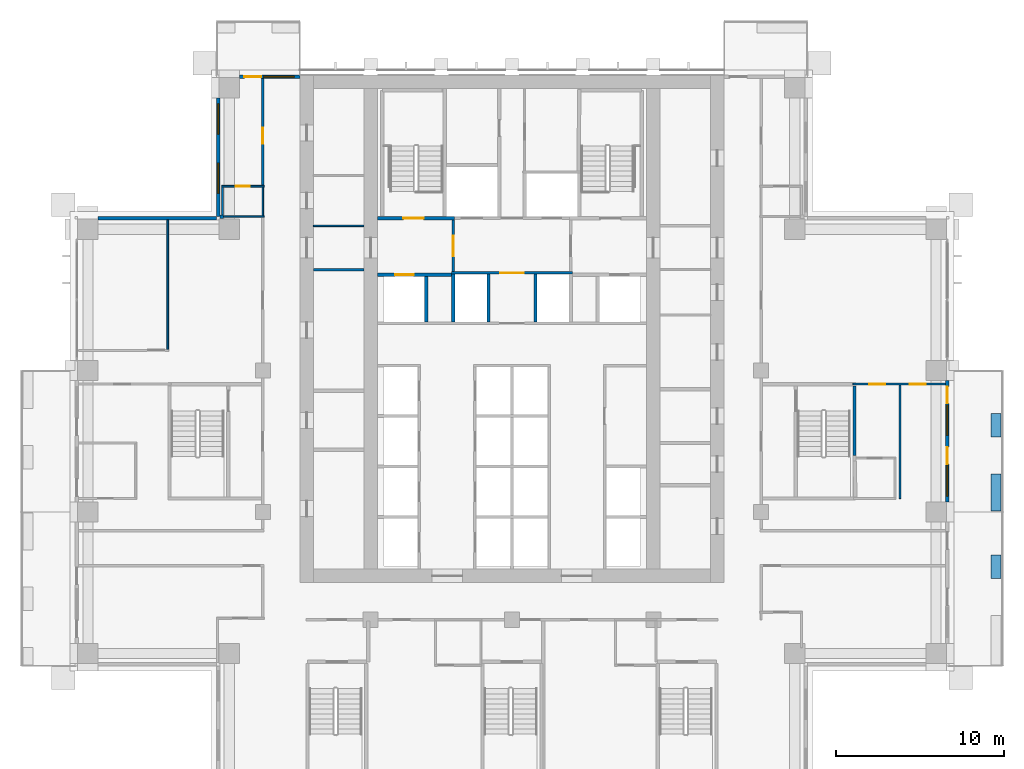
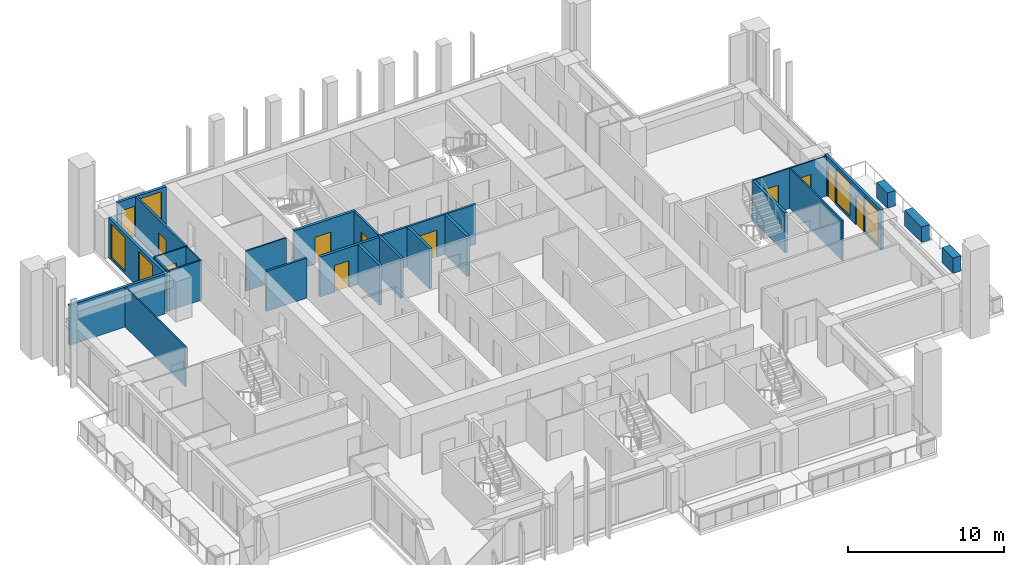
# One storey, part 12 of 19: 27 walls, 11 doors, 5 windows, 16 openings.
"""IFC4 building model written with IfcOpenShell, lengths in metres."""

from ifc_helpers import new_model, si_unit, direction, frame, frame_2d, origin, place, context, subcontext, project, spatial, rectangle, extrude, material, layer, layer_set, type_object, element, fill, save


model = new_model("IFC4")

# Units and contexts
model_context = context("Model", 3, precision=1e-05, world=origin(), true_north=direction((0.0, 1.0)))
body_context = subcontext(model_context, "Body", "Model", "MODEL_VIEW")
ifc_project = project(units=[si_unit("LENGTHUNIT", "METRE"), si_unit("AREAUNIT", "SQUARE_METRE"), si_unit("VOLUMEUNIT", "CUBIC_METRE"), si_unit("PLANEANGLEUNIT", "RADIAN"), si_unit("MASSUNIT", "GRAM", prefix="KILO")], contexts=[model_context])

# Site, building, storey
site_placement = place(None, origin())
site = spatial("IfcSite", under=ifc_project, at=site_placement, CompositionType="ELEMENT")
building_placement = place(site_placement, origin())
building = spatial("IfcBuilding", under=site, at=building_placement, Name="Vermilion Ogive Tower", CompositionType="ELEMENT")
storey_placement = place(building_placement, frame((0.0, 0.0, 104.550048828125)))
storey = spatial("IfcBuildingStorey", under=building, at=storey_placement, Name="L26", CompositionType="ELEMENT", Elevation=104.550048828125)

# Wall
ifc_material_1 = material(Name="Gypsum board partition on steel studs", Category="steel")
ifc_layer_1 = layer(ifc_material_1, 0.10009765625)
ifc_layer_set_1 = layer_set([ifc_layer_1], Name="Partition 100 bath")
wall_type_1 = type_object("IfcWallType", Name="Partition 100 bath", PredefinedType="PARTITIONING", material=ifc_layer_set_1)
wall_1_placement = place(storey_placement, frame((-17.25, 13.35009765625, 0.0), z_axis=(0.0, 0.0, 1.0), x_axis=(1.0, 0.0, 0.0)))
element("IfcWall", 1, at=wall_1_placement, inside=storey, type_object=wall_type_1, Name="L26-W-W030", PredefinedType="PARTITIONING", context=body_context, shape_type="SweptSolid", body=[
    extrude(rectangle(XDim=2.52490234375, YDim=0.10009765625, at=frame_2d((1.262451171875, 0.0))), origin(), (0.0, 0.0, 1.0), 3.1298828125),
])

# Wall, opening, door
wall_2_placement = place(storey_placement, frame((-17.25, 15.14990234375, 0.0), z_axis=(0.0, 0.0, 1.0), x_axis=(1.0, 0.0, 0.0)))
wall_2 = element("IfcWall", 2, at=wall_2_placement, inside=storey, type_object=wall_type_1, Name="L26-W-W033", PredefinedType="PARTITIONING", context=body_context, shape_type="SweptSolid", body=[
    extrude(rectangle(XDim=2.52490234375, YDim=0.10009765625, at=frame_2d((1.262451171875, 0.0))), origin(), (0.0, 0.0, 1.0), 3.1298828125),
])
opening_1_placement = place(wall_2_placement, frame((0.824951171875, 0.0, 0.0)))
opening_1 = element("IfcOpeningElement", 3, at=opening_1_placement, cuts=wall_2, Name="Opening D2G4008", PredefinedType="OPENING", context=body_context, shape_type="SweptSolid", body=[
    extrude(rectangle(XDim=0.85009765625, YDim=2.10009765625, at=frame_2d((0.425048828125, 1.050048828125))), frame((0.0, 0.06005859375, 0.0), z_axis=(0.0, -1.0, 0.0), x_axis=(1.0, 0.0, 0.0)), (0.0, 0.0, 1.0), 0.1201171875),
])
ifc_material_2 = material(Name="Timber door leaf", Category="wood")
door_type_1 = type_object("IfcDoorType", Name="Bath door 850 x 2100 FD30", OperationType="SINGLE_SWING_LEFT", PredefinedType="DOOR", material=ifc_material_2)
door_1_placement = place(opening_1_placement, origin())
door_1 = element("IfcDoor", 4, at=door_1_placement, inside=storey, type_object=door_type_1, Name="L26-D-D008", OperationType="SINGLE_SWING_RIGHT", OverallHeight=2.10009765625, OverallWidth=0.85009765625, PredefinedType="DOOR", context=body_context, shape_type="SweptSolid", body=[
    extrude(rectangle(XDim=0.85009765625, YDim=2.10009765625, at=frame_2d((0.425048828125, 1.050048828125))), frame((0.0, 0.02490234375, 0.0), z_axis=(0.0, -1.0, 0.0), x_axis=(1.0, 0.0, 0.0)), (0.0, 0.0, 1.0), 0.050048828125),
])
fill(opening_1, door_1)

# Walls
wall_3_placement = place(storey_placement, frame((-17.199951171875, 13.449951171875, 0.0), z_axis=(0.0, 0.0, 1.0), x_axis=(0.0, 1.0, 0.0)))
element("IfcWall", 5, at=wall_3_placement, inside=storey, type_object=wall_type_1, Name="L26-W-W039", PredefinedType="PARTITIONING", context=body_context, shape_type="SweptSolid", body=[
    extrude(rectangle(XDim=1.650146484375, YDim=0.10009765625, at=frame_2d((0.8251953125, 0.0))), origin(), (0.0, 0.0, 1.0), 3.1298828125),
])
wall_4_placement = place(storey_placement, frame((-14.800048828125, 13.39990234375, 0.0), z_axis=(0.0, 0.0, 1.0), x_axis=(0.0, 1.0, 0.0)))
element("IfcWall", 6, at=wall_4_placement, inside=storey, type_object=wall_type_1, Name="L26-W-W043", PredefinedType="PARTITIONING", context=body_context, shape_type="SweptSolid", body=[
    extrude(rectangle(XDim=1.7001953125, YDim=0.10009765625, at=frame_2d((0.85009765625, 0.0))), origin(), (0.0, 0.0, 1.0), 3.1298828125),
])
wall_5_placement = place(storey_placement, frame((-11.799072265625, 12.800048828125, 0.0), z_axis=(0.0, 0.0, 1.0), x_axis=(1.0, 0.0, 0.0)))
element("IfcWall", 7, at=wall_5_placement, inside=storey, type_object=wall_type_1, Name="L26-CKW-W-W004", PredefinedType="PARTITIONING", context=body_context, shape_type="SweptSolid", body=[
    extrude(rectangle(XDim=2.998046875, YDim=0.10009765625, at=frame_2d((1.4990234375, 0.0))), origin(), (0.0, 0.0, 1.0), 3.1298828125),
])

# Wall, openings, doors
ifc_material_3 = material(Name="Gypsum board partition on steel studs", Category="steel")
ifc_layer_2 = layer(ifc_material_3, 0.10009765625)
ifc_layer_set_2 = layer_set([ifc_layer_2], Name="Partition 100 inner")
wall_type_2 = type_object("IfcWallType", Name="Partition 100 inner", PredefinedType="PARTITIONING", material=ifc_layer_set_2)
wall_6_placement = place(storey_placement, frame((20.25, 3.39990234375, 0.0), z_axis=(0.0, 0.0, 1.0), x_axis=(1.0, 0.0, 0.0)))
wall_6 = element("IfcWall", 8, at=wall_6_placement, inside=storey, type_object=wall_type_2, Name="L26-W-W027", PredefinedType="PARTITIONING", context=body_context, shape_type="SweptSolid", body=[
    extrude(rectangle(XDim=5.5, YDim=0.10009765625, at=frame_2d((2.75, 0.0))), origin(), (0.0, 0.0, 1.0), 3.1298828125),
])
opening_2_placement = place(wall_6_placement, frame((3.375, 0.0, 0.0)))
opening_2 = element("IfcOpeningElement", 9, at=opening_2_placement, cuts=wall_6, Name="Opening D2G4015", PredefinedType="OPENING", context=body_context, shape_type="SweptSolid", body=[
    extrude(rectangle(XDim=0.949951171875, YDim=2.10009765625, at=frame_2d((0.47509765625, 1.050048828125))), frame((0.0, 0.06005859375, 0.0), z_axis=(0.0, -1.0, 0.0), x_axis=(1.0, 0.0, 0.0)), (0.0, 0.0, 1.0), 0.1201171875),
])
opening_3_placement = place(wall_6_placement, frame((0.97509765625, 0.0, 0.0)))
opening_3 = element("IfcOpeningElement", 10, at=opening_3_placement, cuts=wall_6, Name="Opening D2G4017", PredefinedType="OPENING", context=body_context, shape_type="SweptSolid", body=[
    extrude(rectangle(XDim=0.949951171875, YDim=2.10009765625, at=frame_2d((0.47509765625, 1.050048828125))), frame((0.0, 0.06005859375, 0.0), z_axis=(0.0, -1.0, 0.0), x_axis=(1.0, 0.0, 0.0)), (0.0, 0.0, 1.0), 0.1201171875),
])
ifc_material_4 = material(Name="Timber door leaf", Category="wood")
door_type_2 = type_object("IfcDoorType", Name="Inner door 950 x 2100 FD30", OperationType="SINGLE_SWING_LEFT", PredefinedType="DOOR", material=ifc_material_4)
door_2_placement = place(opening_2_placement, origin())
door_2 = element("IfcDoor", 11, at=door_2_placement, inside=storey, type_object=door_type_2, Name="L26-D-D015", OperationType="SINGLE_SWING_RIGHT", OverallHeight=2.10009765625, OverallWidth=0.949951171875, PredefinedType="DOOR", context=body_context, shape_type="SweptSolid", body=[
    extrude(rectangle(XDim=0.949951171875, YDim=2.10009765625, at=frame_2d((0.47509765625, 1.050048828125))), frame((0.0, 0.02490234375, 0.0), z_axis=(0.0, -1.0, 0.0), x_axis=(1.0, 0.0, 0.0)), (0.0, 0.0, 1.0), 0.050048828125),
])
fill(opening_2, door_2)
door_3_placement = place(opening_3_placement, origin())
door_3 = element("IfcDoor", 12, at=door_3_placement, inside=storey, type_object=door_type_2, Name="L26-D-D017", OperationType="SINGLE_SWING_RIGHT", OverallHeight=2.10009765625, OverallWidth=0.949951171875, PredefinedType="DOOR", context=body_context, shape_type="SweptSolid", body=[
    extrude(rectangle(XDim=0.949951171875, YDim=2.10009765625, at=frame_2d((0.47509765625, 1.050048828125))), frame((0.0, 0.02490234375, 0.0), z_axis=(0.0, -1.0, 0.0), x_axis=(1.0, 0.0, 0.0)), (0.0, 0.0, 1.0), 0.050048828125),
])
fill(opening_3, door_3)

# Walls
wall_7_placement = place(storey_placement, frame((-20.449951171875, 5.449951171875, 0.0), z_axis=(0.0, 0.0, 1.0), x_axis=(0.0, 1.0, 0.0)))
element("IfcWall", 13, at=wall_7_placement, inside=storey, type_object=wall_type_2, Name="L26-W-W036", PredefinedType="PARTITIONING", context=body_context, shape_type="SweptSolid", body=[
    extrude(rectangle(XDim=7.699951171875, YDim=0.10009765625, at=frame_2d((3.85009765625, 0.0))), origin(), (0.0, 0.0, 1.0), 3.1298828125),
])
wall_8_placement = place(storey_placement, frame((23.050048828125, -3.39794921875, 0.0), z_axis=(0.0, 0.0, 1.0), x_axis=(0.0, 1.0, 0.0)))
element("IfcWall", 14, at=wall_8_placement, inside=storey, type_object=wall_type_2, Name="L26-W-W064", PredefinedType="PARTITIONING", context=body_context, shape_type="SweptSolid", body=[
    extrude(rectangle(XDim=6.748046875, YDim=0.10009765625, at=frame_2d((3.3740234375, 0.0))), origin(), (0.0, 0.0, 1.0), 3.1298828125),
])

# Wall, opening, door
ifc_material_5 = material(Name="Gypsum board partition on steel studs", Category="steel")
ifc_layer_3 = layer(ifc_material_5, 0.14990234375)
ifc_layer_set_3 = layer_set([ifc_layer_3], Name="Partition 150 corridor")
wall_type_3 = type_object("IfcWallType", Name="Partition 150 corridor", PredefinedType="PARTITIONING", material=ifc_layer_set_3)
wall_9_placement = place(storey_placement, frame((-14.800048828125, 15.199951171875, 0.0), z_axis=(0.0, 0.0, 1.0), x_axis=(0.0, 1.0, 0.0)))
wall_9 = element("IfcWall", 15, at=wall_9_placement, inside=storey, type_object=wall_type_3, Name="L26-W-W044", PredefinedType="PARTITIONING", context=body_context, shape_type="SweptSolid", body=[
    extrude(rectangle(XDim=6.35009765625, YDim=0.14990234375, at=frame_2d((3.175048828125, 0.0))), origin(), (0.0, 0.0, 1.0), 3.1298828125),
])
opening_4_placement = place(wall_9_placement, frame((2.47509765625, 0.0, 0.0)))
opening_4 = element("IfcOpeningElement", 16, at=opening_4_placement, cuts=wall_9, Name="Opening D2G4007", PredefinedType="OPENING", context=body_context, shape_type="SweptSolid", body=[
    extrude(rectangle(XDim=0.949951171875, YDim=2.10009765625, at=frame_2d((0.47509765625, 1.050048828125))), frame((0.0, 0.0849609375, 0.0), z_axis=(0.0, -1.0, 0.0), x_axis=(1.0, 0.0, 0.0)), (0.0, 0.0, 1.0), 0.169921875),
])
ifc_material_6 = material(Name="Timber door leaf", Category="wood")
door_type_3 = type_object("IfcDoorType", Name="Unit door 950 x 2100 FD30S", OperationType="SINGLE_SWING_LEFT", PredefinedType="DOOR", material=ifc_material_6)
door_4_placement = place(opening_4_placement, origin())
door_4 = element("IfcDoor", 17, at=door_4_placement, inside=storey, type_object=door_type_3, Name="L26-D-D007", OperationType="SINGLE_SWING_RIGHT", OverallHeight=2.10009765625, OverallWidth=0.949951171875, PredefinedType="DOOR", context=body_context, shape_type="SweptSolid", body=[
    extrude(rectangle(XDim=0.949951171875, YDim=2.10009765625, at=frame_2d((0.47509765625, 1.050048828125))), frame((0.0, 0.02490234375, 0.0), z_axis=(0.0, -1.0, 0.0), x_axis=(1.0, 0.0, 0.0)), (0.0, 0.0, 1.0), 0.050048828125),
])
fill(opening_4, door_4)

wall_10_placement = place(storey_placement, frame((-3.60009765625, 10.0, 0.0), z_axis=(0.0, 0.0, 1.0), x_axis=(1.0, 0.0, 0.0)))
wall_10 = element("IfcWall", 18, at=wall_10_placement, inside=storey, type_object=wall_type_3, Name="L26-CK-W-W015", PredefinedType="PARTITIONING", context=body_context, shape_type="SweptSolid", body=[
    extrude(rectangle(XDim=7.2001953125, YDim=0.14990234375, at=frame_2d((3.60009765625, 0.0))), origin(), (0.0, 0.0, 1.0), 3.1298828125),
])
opening_5_placement = place(wall_10_placement, frame((2.900146484375, 0.0, 0.0)))
opening_5 = element("IfcOpeningElement", 19, at=opening_5_placement, cuts=wall_10, Name="Opening DAA211", PredefinedType="OPENING", context=body_context, shape_type="SweptSolid", body=[
    extrude(rectangle(XDim=1.39990234375, YDim=2.10009765625, at=frame_2d((0.699951171875, 1.050048828125))), frame((0.0, 0.0849609375, 0.0), z_axis=(0.0, -1.0, 0.0), x_axis=(1.0, 0.0, 0.0)), (0.0, 0.0, 1.0), 0.169921875),
])
ifc_material_7 = material(Name="Timber door leaf", Category="wood")
door_type_4 = type_object("IfcDoorType", Name="Lobby door 1400 x 2100 FD60S", OperationType="SINGLE_SWING_LEFT", PredefinedType="DOOR", material=ifc_material_7)
door_5_placement = place(opening_5_placement, origin())
door_5 = element("IfcDoor", 20, at=door_5_placement, inside=storey, type_object=door_type_4, Name="L26-CK-D-D015", OperationType="SINGLE_SWING_RIGHT", OverallHeight=2.10009765625, OverallWidth=1.39990234375, PredefinedType="DOOR", context=body_context, shape_type="SweptSolid", body=[
    extrude(rectangle(XDim=1.39990234375, YDim=2.10009765625, at=frame_2d((0.699951171875, 1.050048828125))), frame((0.0, 0.02490234375, 0.0), z_axis=(0.0, -1.0, 0.0), x_axis=(1.0, 0.0, 0.0)), (0.0, 0.0, 1.0), 0.050048828125),
])
fill(opening_5, door_5)

wall_11_placement = place(storey_placement, frame((-3.5, 10.074951171875, 0.0), z_axis=(0.0, 0.0, 1.0), x_axis=(0.0, 1.0, 0.0)))
wall_11 = element("IfcWall", 21, at=wall_11_placement, inside=storey, type_object=wall_type_3, Name="L26-CK-W-W025", PredefinedType="PARTITIONING", context=body_context, shape_type="SweptSolid", body=[
    extrude(rectangle(XDim=3.074951171875, YDim=0.14990234375, at=frame_2d((1.53759765625, 0.0))), origin(), (0.0, 0.0, 1.0), 3.1298828125),
])
opening_6_placement = place(wall_11_placement, frame((0.925048828125, 0.0, 0.0)))
opening_6 = element("IfcOpeningElement", 22, at=opening_6_placement, cuts=wall_11, Name="Opening DAA208", PredefinedType="OPENING", context=body_context, shape_type="SweptSolid", body=[
    extrude(rectangle(XDim=1.199951171875, YDim=2.10009765625, at=frame_2d((0.60009765625, 1.050048828125))), frame((0.0, 0.0849609375, 0.0), z_axis=(0.0, -1.0, 0.0), x_axis=(1.0, 0.0, 0.0)), (0.0, 0.0, 1.0), 0.169921875),
])
ifc_material_8 = material(Name="Timber door leaf", Category="wood")
door_type_5 = type_object("IfcDoorType", Name="Lobby door 1200 x 2100 FD60S", OperationType="SINGLE_SWING_LEFT", PredefinedType="DOOR", material=ifc_material_8)
door_6_placement = place(opening_6_placement, origin())
door_6 = element("IfcDoor", 23, at=door_6_placement, inside=storey, type_object=door_type_5, Name="L26-CK-D-D021", OperationType="SINGLE_SWING_RIGHT", OverallHeight=2.10009765625, OverallWidth=1.199951171875, PredefinedType="DOOR", context=body_context, shape_type="SweptSolid", body=[
    extrude(rectangle(XDim=1.199951171875, YDim=2.10009765625, at=frame_2d((0.60009765625, 1.050048828125))), frame((0.0, 0.02490234375, 0.0), z_axis=(0.0, -1.0, 0.0), x_axis=(1.0, 0.0, 0.0)), (0.0, 0.0, 1.0), 0.050048828125),
])
fill(opening_6, door_6)

# Walls
wall_12_placement = place(storey_placement, frame((-11.799072265625, 10.199951171875, 0.0), z_axis=(0.0, 0.0, 1.0), x_axis=(1.0, 0.0, 0.0)))
element("IfcWall", 24, at=wall_12_placement, inside=storey, type_object=wall_type_3, Name="L26-CKW-W-W003", PredefinedType="PARTITIONING", context=body_context, shape_type="SweptSolid", body=[
    extrude(rectangle(XDim=2.998046875, YDim=0.14990234375, at=frame_2d((1.4990234375, 0.0))), origin(), (0.0, 0.0, 1.0), 3.1298828125),
])
ifc_material_9 = material(Name="Gypsum board partition on steel studs", Category="steel")
ifc_layer_4 = layer(ifc_material_9, 0.199951171875)
ifc_layer_set_4 = layer_set([ifc_layer_4], Name="Partition 200 party")
wall_type_4 = type_object("IfcWallType", Name="Partition 200 party", PredefinedType="PARTITIONING", material=ifc_layer_set_4)
wall_13_placement = place(storey_placement, frame((-17.35009765625, 13.35009765625, 0.0), z_axis=(0.0, 0.0, 1.0), x_axis=(1.0, 0.0, 0.0)))
element("IfcWall", 25, at=wall_13_placement, inside=storey, type_object=wall_type_4, Name="L26-W-W029", PredefinedType="PARTITIONING", context=body_context, shape_type="SweptSolid", body=[
    extrude(rectangle(XDim=0.2001953125, YDim=0.199951171875, at=frame_2d((0.10009765625, 0.0))), origin(), (0.0, 0.0, 1.0), 3.1298828125),
])

# Wall, opening, door
wall_14_placement = place(storey_placement, frame((-7.9990234375, 9.89990234375, 0.0), z_axis=(0.0, 0.0, 1.0), x_axis=(1.0, 0.0, 0.0)))
wall_14 = element("IfcWall", 26, at=wall_14_placement, inside=storey, type_object=wall_type_4, Name="L26-CK-W-W013", PredefinedType="PARTITIONING", context=body_context, shape_type="SweptSolid", body=[
    extrude(rectangle(XDim=4.39892578125, YDim=0.199951171875, at=frame_2d((2.199462890625, 0.0))), origin(), (0.0, 0.0, 1.0), 3.1298828125),
])
opening_7_placement = place(wall_14_placement, frame((1.049072265625, 0.0, 0.0)))
opening_7 = element("IfcOpeningElement", 27, at=opening_7_placement, cuts=wall_14, Name="Opening DAA228", PredefinedType="OPENING", context=body_context, shape_type="SweptSolid", body=[
    extrude(rectangle(XDim=1.10009765625, YDim=2.10009765625, at=frame_2d((0.550048828125, 1.050048828125))), frame((0.0, 0.10986328125, 0.0), z_axis=(0.0, -1.0, 0.0), x_axis=(1.0, 0.0, 0.0)), (0.0, 0.0, 1.0), 0.219970703125),
])
ifc_material_10 = material(Name="Stainless steel", Category="steel")
door_type_6 = type_object("IfcDoorType", Name="Lift landing door 1100 x 2100", OperationType="SLIDING_TO_LEFT", PredefinedType="DOOR", material=ifc_material_10)
door_7_placement = place(opening_7_placement, origin())
door_7 = element("IfcDoor", 28, at=door_7_placement, inside=storey, type_object=door_type_6, Name="L26-CK-D-D011", OperationType="SLIDING_TO_LEFT", OverallHeight=2.10009765625, OverallWidth=1.10009765625, PredefinedType="DOOR", context=body_context, shape_type="SweptSolid", body=[
    extrude(rectangle(XDim=1.10009765625, YDim=2.10009765625, at=frame_2d((0.550048828125, 1.050048828125))), frame((0.0, 0.02490234375, 0.0), z_axis=(0.0, -1.0, 0.0), x_axis=(1.0, 0.0, 0.0)), (0.0, 0.0, 1.0), 0.050048828125),
])
fill(opening_7, door_7)

# Walls
wall_15_placement = place(storey_placement, frame((-5.10009765625, 7.074951171875, 0.0), z_axis=(0.0, 0.0, 1.0), x_axis=(0.0, 1.0, 0.0)))
element("IfcWall", 29, at=wall_15_placement, inside=storey, type_object=wall_type_4, Name="L26-CK-W-W022", PredefinedType="PARTITIONING", context=body_context, shape_type="SweptSolid", body=[
    extrude(rectangle(XDim=2.72509765625, YDim=0.199951171875, at=frame_2d((1.362548828125, 0.0))), origin(), (0.0, 0.0, 1.0), 3.1298828125),
])
for number, where, z_axis, x_axis, name in (
    (30, (-3.5, 7.074951171875, 0.0), (0.0, 0.0, 1.0), (0.0, 1.0, 0.0), "L26-CK-W-W024"),
    (31, (-1.39990234375, 7.074951171875, 0.0), (0.0, 0.0, 1.0), (0.0, 1.0, 0.0), "L26-CK-W-W027"),
    (32, (1.39990234375, 7.074951171875, 0.0), (0.0, 0.0, 1.0), (0.0, 1.0, 0.0), "L26-CK-W-W032"),
):
    element("IfcWall", number, at=place(storey_placement, frame(where, z_axis=z_axis, x_axis=x_axis)), inside=storey, type_object=wall_type_4, Name=name, PredefinedType="PARTITIONING", context=body_context, shape_type="SweptSolid", body=[
        extrude(rectangle(XDim=2.85009765625, YDim=0.199951171875, at=frame_2d((1.425048828125, 0.0))), origin(), (0.0, 0.0, 1.0), 3.1298828125),
    ])
ifc_material_11 = material(Name="Concrete B60", Category="concrete")
ifc_layer_5 = layer(ifc_material_11, 0.199951171875)
ifc_layer_set_5 = layer_set([ifc_layer_5], Name="Stair shaft wall 200 Concrete B60")
wall_type_5 = type_object("IfcWallType", Name="Stair shaft wall 200 Concrete B60", PredefinedType="SOLIDWALL", material=ifc_layer_set_5)
wall_16_placement = place(storey_placement, frame((20.35009765625, -0.830078125, 0.0), z_axis=(0.0, 0.0, 1.0), x_axis=(0.0, 1.0, 0.0)))
element("IfcWall", 33, at=wall_16_placement, inside=storey, type_object=wall_type_5, Name="L26-W-W062", PredefinedType="SOLIDWALL", context=body_context, shape_type="SweptSolid", body=[
    extrude(rectangle(XDim=4.130126953125, YDim=0.199951171875, at=frame_2d((2.06494140625, 0.0))), origin(), (0.0, 0.0, 1.0), 3.1298828125),
])

# Wall, opening, door
wall_17_placement = place(storey_placement, frame((-7.9990234375, 13.25, 0.0), z_axis=(0.0, 0.0, 1.0), x_axis=(1.0, 0.0, 0.0)))
wall_17 = element("IfcWall", 34, at=wall_17_placement, inside=storey, type_object=wall_type_5, Name="L26-CK-W-W016", PredefinedType="SOLIDWALL", context=body_context, shape_type="SweptSolid", body=[
    extrude(rectangle(XDim=4.573974609375, YDim=0.199951171875, at=frame_2d((2.287109375, 0.0))), origin(), (0.0, 0.0, 1.0), 3.1298828125),
])
opening_8_placement = place(wall_17_placement, frame((1.549072265625, 0.0, 0.0)))
opening_8 = element("IfcOpeningElement", 35, at=opening_8_placement, cuts=wall_17, Name="Opening DAA216", PredefinedType="OPENING", context=body_context, shape_type="SweptSolid", body=[
    extrude(rectangle(XDim=1.199951171875, YDim=2.10009765625, at=frame_2d((0.60009765625, 1.050048828125))), frame((0.0, 0.10986328125, 0.0), z_axis=(0.0, -1.0, 0.0), x_axis=(1.0, 0.0, 0.0)), (0.0, 0.0, 1.0), 0.219970703125),
])
ifc_material_12 = material(Name="Timber door leaf", Category="wood")
door_type_7 = type_object("IfcDoorType", Name="Stair door 1200 x 2100 FD60S", OperationType="SINGLE_SWING_LEFT", PredefinedType="DOOR", material=ifc_material_12)
door_8_placement = place(opening_8_placement, origin())
door_8 = element("IfcDoor", 36, at=door_8_placement, inside=storey, type_object=door_type_7, Name="L26-CK-D-D010", OperationType="SINGLE_SWING_LEFT", OverallHeight=2.10009765625, OverallWidth=1.199951171875, PredefinedType="DOOR", context=body_context, shape_type="SweptSolid", body=[
    extrude(rectangle(XDim=1.199951171875, YDim=2.10009765625, at=frame_2d((0.60009765625, 1.050048828125))), frame((0.0, 0.02490234375, 0.0), z_axis=(0.0, -1.0, 0.0), x_axis=(1.0, 0.0, 0.0)), (0.0, 0.0, 1.0), 0.050048828125),
])
fill(opening_8, door_8)

# Walls
ifc_material_13 = material(Name="Concrete B40", Category="concrete")
ifc_layer_6 = layer(ifc_material_13, 0.60009765625)
ifc_layer_set_6 = layer_set([ifc_layer_6], Name="Structural planter")
wall_type_6 = type_object("IfcWallType", Name="Structural planter", PredefinedType="USERDEFINED", material=ifc_layer_set_6)
wall_18_placement = place(storey_placement, frame((28.75, -8.14990234375, -0.0400390625), z_axis=(0.0, 0.0, 1.0), x_axis=(0.0, 1.0, 0.0)))
element("IfcWall", 37, at=wall_18_placement, inside=storey, type_object=wall_type_6, Name="Planter E01A2", ObjectType="PLANTER", PredefinedType="USERDEFINED", context=body_context, shape_type="SweptSolid", body=[
    extrude(rectangle(XDim=1.39990234375, YDim=0.60009765625, at=frame_2d((0.699951171875, 0.0))), origin(), (0.0, 0.0, 1.0), 1.199951171875),
])
wall_19_placement = place(storey_placement, frame((28.75, -4.139892578125, -0.0400390625), z_axis=(0.0, 0.0, 1.0), x_axis=(0.0, 1.0, 0.0)))
element("IfcWall", 38, at=wall_19_placement, inside=storey, type_object=wall_type_6, Name="Planter E02A1", ObjectType="PLANTER", PredefinedType="USERDEFINED", context=body_context, shape_type="SweptSolid", body=[
    extrude(rectangle(XDim=2.18994140625, YDim=0.60009765625, at=frame_2d((1.094970703125, 0.0))), origin(), (0.0, 0.0, 1.0), 1.199951171875),
])
wall_20_placement = place(storey_placement, frame((28.75, 0.25, -0.0400390625), z_axis=(0.0, 0.0, 1.0), x_axis=(0.0, 1.0, 0.0)))
element("IfcWall", 39, at=wall_20_placement, inside=storey, type_object=wall_type_6, Name="Planter E02A2", ObjectType="PLANTER", PredefinedType="USERDEFINED", context=body_context, shape_type="SweptSolid", body=[
    extrude(rectangle(XDim=1.39990234375, YDim=0.60009765625, at=frame_2d((0.699951171875, 0.0))), origin(), (0.0, 0.0, 1.0), 1.199951171875),
])

# Wall, openings, doors, windows
ifc_material_14 = material(Name="Aluminium window wall framing", Category="aluminium")
ifc_layer_7 = layer(ifc_material_14, 0.199951171875)
ifc_layer_set_7 = layer_set([ifc_layer_7], Name="Window wall")
wall_type_7 = type_object("IfcWallType", Name="Window wall", PredefinedType="STANDARD", material=ifc_layer_set_7)
wall_21_placement = place(storey_placement, frame((25.85009765625, -3.60009765625, 0.0), z_axis=(0.0, 0.0, 1.0), x_axis=(0.0, 1.0, 0.0)))
wall_21 = element("IfcWall", 40, at=wall_21_placement, inside=storey, type_object=wall_type_7, Name="Window wall E2", PredefinedType="STANDARD", context=body_context, shape_type="SweptSolid", body=[
    extrude(rectangle(XDim=7.2001953125, YDim=0.199951171875, at=frame_2d((3.60009765625, 0.0))), origin(), (0.0, 0.0, 1.0), 3.1298828125),
])
opening_9_placement = place(wall_21_placement, frame((0.35009765625, 0.0, 0.199951171875)))
opening_9 = element("IfcOpeningElement", 41, at=opening_9_placement, cuts=wall_21, Name="Opening W1-E99", PredefinedType="OPENING", context=body_context, shape_type="SweptSolid", body=[
    extrude(rectangle(XDim=1.800048828125, YDim=2.64990234375, at=frame_2d((0.89990234375, 1.324951171875))), frame((0.0, 0.10986328125, 0.0), z_axis=(0.0, -1.0, 0.0), x_axis=(1.0, 0.0, 0.0)), (0.0, 0.0, 1.0), 0.219970703125),
])
opening_10_placement = place(wall_21_placement, frame((2.25, 0.0, 0.0)))
opening_10 = element("IfcOpeningElement", 42, at=opening_10_placement, cuts=wall_21, Name="Opening D1-E99", PredefinedType="OPENING", context=body_context, shape_type="SweptSolid", body=[
    extrude(rectangle(XDim=1.0, YDim=2.39990234375, at=frame_2d((0.5, 1.199951171875))), frame((0.0, 0.10986328125, 0.0), z_axis=(0.0, -1.0, 0.0), x_axis=(1.0, 0.0, 0.0)), (0.0, 0.0, 1.0), 0.219970703125),
])
opening_11_placement = place(wall_21_placement, frame((3.949951171875, 0.0, 0.199951171875)))
opening_11 = element("IfcOpeningElement", 43, at=opening_11_placement, cuts=wall_21, Name="Opening W1-E00", PredefinedType="OPENING", context=body_context, shape_type="SweptSolid", body=[
    extrude(rectangle(XDim=1.800048828125, YDim=2.64990234375, at=frame_2d((0.89990234375, 1.324951171875))), frame((0.0, 0.10986328125, 0.0), z_axis=(0.0, -1.0, 0.0), x_axis=(1.0, 0.0, 0.0)), (0.0, 0.0, 1.0), 0.219970703125),
])
opening_12_placement = place(wall_21_placement, frame((5.85009765625, 0.0, 0.0)))
opening_12 = element("IfcOpeningElement", 44, at=opening_12_placement, cuts=wall_21, Name="Opening D1-E00", PredefinedType="OPENING", context=body_context, shape_type="SweptSolid", body=[
    extrude(rectangle(XDim=1.0, YDim=2.39990234375, at=frame_2d((0.5, 1.199951171875))), frame((0.0, 0.10986328125, 0.0), z_axis=(0.0, -1.0, 0.0), x_axis=(1.0, 0.0, 0.0)), (0.0, 0.0, 1.0), 0.219970703125),
])
ifc_material_15 = material(Name="Aluminium framed glazed door", Category="aluminium")
door_type_8 = type_object("IfcDoorType", Name="Balcony door D1", OperationType="SINGLE_SWING_LEFT", PredefinedType="DOOR", material=ifc_material_15)
door_9_placement = place(opening_10_placement, origin())
door_9 = element("IfcDoor", 45, at=door_9_placement, inside=storey, type_object=door_type_8, Name="Balcony door E99", OperationType="SINGLE_SWING_LEFT", OverallHeight=2.39990234375, OverallWidth=1.0, PredefinedType="DOOR", context=body_context, shape_type="SweptSolid", body=[
    extrude(rectangle(XDim=1.0, YDim=2.39990234375, at=frame_2d((0.5, 1.199951171875))), frame((0.0, 0.02490234375, 0.0), z_axis=(0.0, -1.0, 0.0), x_axis=(1.0, 0.0, 0.0)), (0.0, 0.0, 1.0), 0.050048828125),
])
fill(opening_10, door_9)
door_10_placement = place(opening_12_placement, origin())
door_10 = element("IfcDoor", 46, at=door_10_placement, inside=storey, type_object=door_type_8, Name="Balcony door E00", OperationType="SINGLE_SWING_LEFT", OverallHeight=2.39990234375, OverallWidth=1.0, PredefinedType="DOOR", context=body_context, shape_type="SweptSolid", body=[
    extrude(rectangle(XDim=1.0, YDim=2.39990234375, at=frame_2d((0.5, 1.199951171875))), frame((0.0, 0.02490234375, 0.0), z_axis=(0.0, -1.0, 0.0), x_axis=(1.0, 0.0, 0.0)), (0.0, 0.0, 1.0), 0.050048828125),
])
fill(opening_12, door_10)
ifc_material_16 = material(Name="Aluminium framed double glazing", Category="aluminium")
window_type = type_object("IfcWindowType", Name="Guest window W1", PartitioningType="SINGLE_PANEL", PredefinedType="WINDOW", material=ifc_material_16)
window_1_placement = place(opening_9_placement, origin())
window_1 = element("IfcWindow", 47, at=window_1_placement, inside=storey, type_object=window_type, Name="Window E99", OverallHeight=2.64990234375, OverallWidth=1.800048828125, PartitioningType="SINGLE_PANEL", PredefinedType="WINDOW", context=body_context, shape_type="SweptSolid", body=[
    extrude(rectangle(XDim=1.800048828125, YDim=2.64990234375, at=frame_2d((0.89990234375, 1.324951171875))), frame((0.0, 0.030029296875, 0.0), z_axis=(0.0, -1.0, 0.0), x_axis=(1.0, 0.0, 0.0)), (0.0, 0.0, 1.0), 0.06005859375),
])
fill(opening_9, window_1)
window_2_placement = place(opening_11_placement, origin())
window_2 = element("IfcWindow", 48, at=window_2_placement, inside=storey, type_object=window_type, Name="Window E00", OverallHeight=2.64990234375, OverallWidth=1.800048828125, PartitioningType="SINGLE_PANEL", PredefinedType="WINDOW", context=body_context, shape_type="SweptSolid", body=[
    extrude(rectangle(XDim=1.800048828125, YDim=2.64990234375, at=frame_2d((0.89990234375, 1.324951171875))), frame((0.0, 0.030029296875, 0.0), z_axis=(0.0, -1.0, 0.0), x_axis=(1.0, 0.0, 0.0)), (0.0, 0.0, 1.0), 0.06005859375),
])
fill(opening_11, window_2)

# Wall, openings, door, window
wall_22_placement = place(storey_placement, frame((-12.60009765625, 21.64990234375, 0.0), z_axis=(0.0, 0.0, 1.0), x_axis=(-1.0, 0.0, 0.0)))
wall_22 = element("IfcWall", 49, at=wall_22_placement, inside=storey, type_object=wall_type_7, Name="Window wall N21", PredefinedType="STANDARD", context=body_context, shape_type="SweptSolid", body=[
    extrude(rectangle(XDim=3.599853515625, YDim=0.199951171875, at=frame_2d((1.7998046875, 0.0))), origin(), (0.0, 0.0, 1.0), 3.1298828125),
])
opening_13_placement = place(wall_22_placement, frame((0.35009765625, 0.0, 0.199951171875)))
opening_13 = element("IfcOpeningElement", 50, at=opening_13_placement, cuts=wall_22, Name="Opening W1-N296", PredefinedType="OPENING", context=body_context, shape_type="SweptSolid", body=[
    extrude(rectangle(XDim=1.800048828125, YDim=2.64990234375, at=frame_2d((0.89990234375, 1.324951171875))), frame((0.0, 0.10986328125, 0.0), z_axis=(0.0, -1.0, 0.0), x_axis=(1.0, 0.0, 0.0)), (0.0, 0.0, 1.0), 0.219970703125),
])
opening_14_placement = place(wall_22_placement, frame((2.300048828125, 0.0, 0.0)))
opening_14 = element("IfcOpeningElement", 51, at=opening_14_placement, cuts=wall_22, Name="Opening D1-N296", PredefinedType="OPENING", context=body_context, shape_type="SweptSolid", body=[
    extrude(rectangle(XDim=1.0, YDim=2.39990234375, at=frame_2d((0.5, 1.199951171875))), frame((0.0, 0.10986328125, 0.0), z_axis=(0.0, -1.0, 0.0), x_axis=(1.0, 0.0, 0.0)), (0.0, 0.0, 1.0), 0.219970703125),
])
door_11_placement = place(opening_14_placement, origin())
door_11 = element("IfcDoor", 52, at=door_11_placement, inside=storey, type_object=door_type_8, Name="Balcony door N296", OperationType="SINGLE_SWING_LEFT", OverallHeight=2.39990234375, OverallWidth=1.0, PredefinedType="DOOR", context=body_context, shape_type="SweptSolid", body=[
    extrude(rectangle(XDim=1.0, YDim=2.39990234375, at=frame_2d((0.5, 1.199951171875))), frame((0.0, 0.02490234375, 0.0), z_axis=(0.0, -1.0, 0.0), x_axis=(1.0, 0.0, 0.0)), (0.0, 0.0, 1.0), 0.050048828125),
])
fill(opening_14, door_11)
window_3_placement = place(opening_13_placement, origin())
window_3 = element("IfcWindow", 53, at=window_3_placement, inside=storey, type_object=window_type, Name="Window N296", OverallHeight=2.64990234375, OverallWidth=1.800048828125, PartitioningType="SINGLE_PANEL", PredefinedType="WINDOW", context=body_context, shape_type="SweptSolid", body=[
    extrude(rectangle(XDim=1.800048828125, YDim=2.64990234375, at=frame_2d((0.89990234375, 1.324951171875))), frame((0.0, 0.030029296875, 0.0), z_axis=(0.0, -1.0, 0.0), x_axis=(1.0, 0.0, 0.0)), (0.0, 0.0, 1.0), 0.06005859375),
])
fill(opening_13, window_3)

# Wall, openings, windows
wall_23_placement = place(storey_placement, frame((-17.449951171875, 20.39990234375, 0.0), z_axis=(0.0, 0.0, 1.0), x_axis=(0.0, -1.0, 0.0)))
wall_23 = element("IfcWall", 54, at=wall_23_placement, inside=storey, type_object=wall_type_7, Name="Window wall X51", PredefinedType="STANDARD", context=body_context, shape_type="SweptSolid", body=[
    extrude(rectangle(XDim=7.0498046875, YDim=0.199951171875, at=frame_2d((3.52490234375, 0.0))), origin(), (0.0, 0.0, 1.0), 3.1298828125),
])
opening_15_placement = place(wall_23_placement, frame((3.875, 0.0, 0.199951171875)))
opening_15 = element("IfcOpeningElement", 55, at=opening_15_placement, cuts=wall_23, Name="Opening W1-X503", PredefinedType="OPENING", context=body_context, shape_type="SweptSolid", body=[
    extrude(rectangle(XDim=1.800048828125, YDim=2.64990234375, at=frame_2d((0.89990234375, 1.324951171875))), frame((0.0, 0.10986328125, 0.0), z_axis=(0.0, -1.0, 0.0), x_axis=(1.0, 0.0, 0.0)), (0.0, 0.0, 1.0), 0.219970703125),
])
opening_16_placement = place(wall_23_placement, frame((0.35009765625, 0.0, 0.199951171875)))
opening_16 = element("IfcOpeningElement", 56, at=opening_16_placement, cuts=wall_23, Name="Opening W1-X504", PredefinedType="OPENING", context=body_context, shape_type="SweptSolid", body=[
    extrude(rectangle(XDim=1.800048828125, YDim=2.64990234375, at=frame_2d((0.89990234375, 1.324951171875))), frame((0.0, 0.10986328125, 0.0), z_axis=(0.0, -1.0, 0.0), x_axis=(1.0, 0.0, 0.0)), (0.0, 0.0, 1.0), 0.219970703125),
])
window_4_placement = place(opening_15_placement, origin())
window_4 = element("IfcWindow", 57, at=window_4_placement, inside=storey, type_object=window_type, Name="Window X503", OverallHeight=2.64990234375, OverallWidth=1.800048828125, PartitioningType="SINGLE_PANEL", PredefinedType="WINDOW", context=body_context, shape_type="SweptSolid", body=[
    extrude(rectangle(XDim=1.800048828125, YDim=2.64990234375, at=frame_2d((0.89990234375, 1.324951171875))), frame((0.0, 0.030029296875, 0.0), z_axis=(0.0, -1.0, 0.0), x_axis=(1.0, 0.0, 0.0)), (0.0, 0.0, 1.0), 0.06005859375),
])
fill(opening_15, window_4)
window_5_placement = place(opening_16_placement, origin())
window_5 = element("IfcWindow", 58, at=window_5_placement, inside=storey, type_object=window_type, Name="Window X504", OverallHeight=2.64990234375, OverallWidth=1.800048828125, PartitioningType="SINGLE_PANEL", PredefinedType="WINDOW", context=body_context, shape_type="SweptSolid", body=[
    extrude(rectangle(XDim=1.800048828125, YDim=2.64990234375, at=frame_2d((0.89990234375, 1.324951171875))), frame((0.0, 0.030029296875, 0.0), z_axis=(0.0, -1.0, 0.0), x_axis=(1.0, 0.0, 0.0)), (0.0, 0.0, 1.0), 0.06005859375),
])
fill(opening_16, window_5)

# Wall
wall_24_placement = place(storey_placement, frame((-17.550048828125, 13.25, 0.0), z_axis=(0.0, 0.0, 1.0), x_axis=(-1.0, 0.0, 0.0)))
element("IfcWall", 59, at=wall_24_placement, inside=storey, type_object=wall_type_7, Name="Window wall X61", PredefinedType="STANDARD", context=body_context, shape_type="SweptSolid", body=[
    extrude(rectangle(XDim=7.050048828125, YDim=0.199951171875, at=frame_2d((3.52490234375, 0.0))), origin(), (0.0, 0.0, 1.0), 3.1298828125),
])

save(model, "model.ifc")
